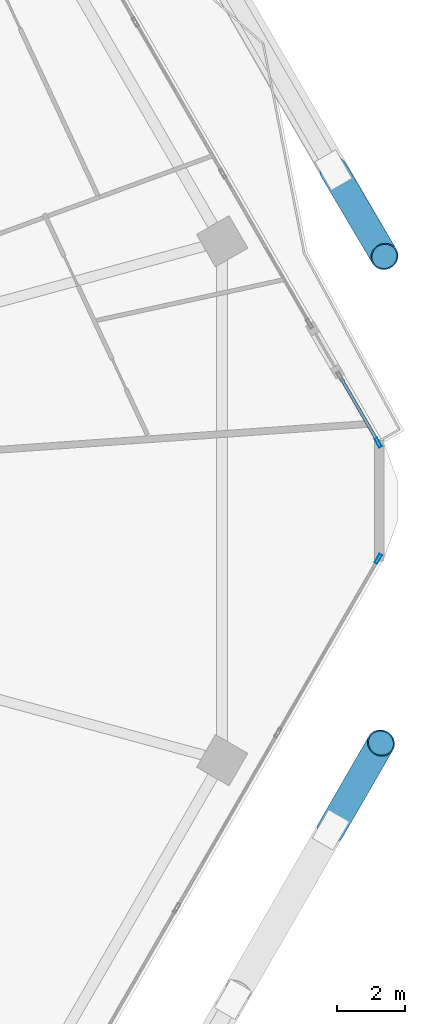
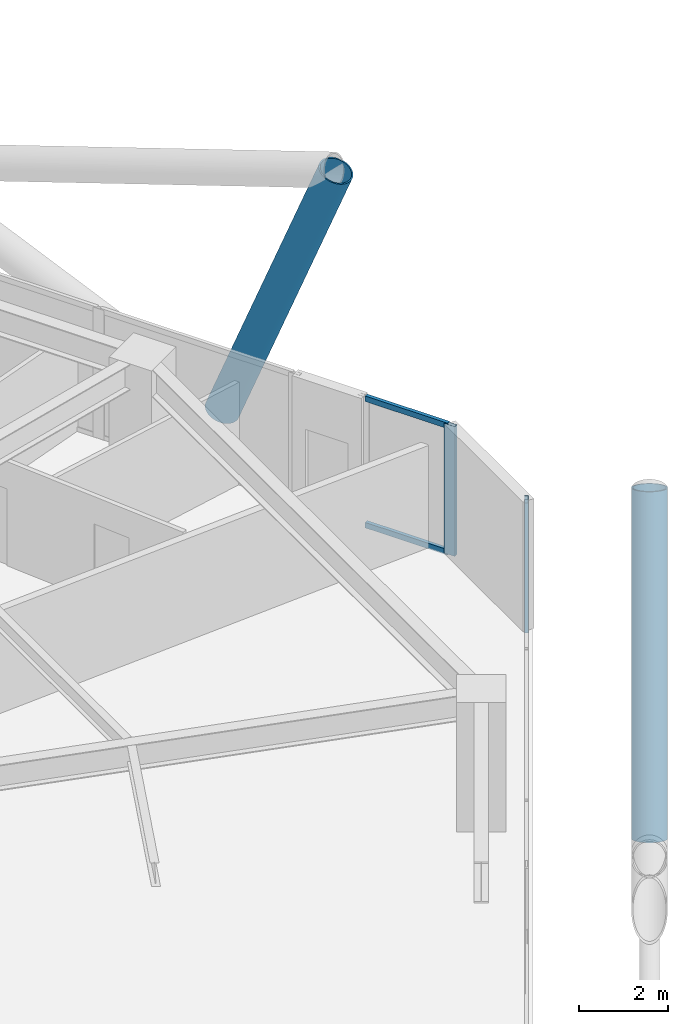
# One storey, part 24 of 34: 6 members, 2 elements without a shape of their own.
"""IFC4 building model written with IfcOpenShell, lengths in metres."""

from ifc_helpers import new_model, si_unit, direction, frame, origin, origin_2d, place, context, subcontext, project, spatial, hollow_rectangle, hollow_circle, extrude, material, material_profile, profile_set, type_object, element, aggregate, save


model = new_model("IFC4")

# Units and contexts
model_context = context("Model", 3, precision=1e-05, world=origin(), true_north=direction((0.0, 1.0)))
body_context = subcontext(model_context, "Body", "Model", "MODEL_VIEW")
ifc_project = project(units=[si_unit("LENGTHUNIT", "METRE"), si_unit("AREAUNIT", "SQUARE_METRE"), si_unit("VOLUMEUNIT", "CUBIC_METRE"), si_unit("PLANEANGLEUNIT", "RADIAN"), si_unit("MASSUNIT", "GRAM", prefix="KILO")], contexts=[model_context])

# Site, building, storey
site_placement = place(None, origin())
site = spatial("IfcSite", under=ifc_project, at=site_placement, CompositionType="ELEMENT")
building_placement = place(site_placement, origin())
building = spatial("IfcBuilding", under=site, at=building_placement, Name="Zuhravey Tower", CompositionType="ELEMENT")
storey_placement = place(building_placement, frame((0.0, 0.0, 100.0)))
storey = spatial("IfcBuildingStorey", under=building, at=storey_placement, Name="L24", CompositionType="ELEMENT", Elevation=100.0)

# Curtain wall, member
ifc_material_1 = material(Name="Thermally broken anodised aluminium", Category="aluminium")
curtain_wall_type = type_object("IfcCurtainWallType", Name="Zone 1-2 Residential Curtain Wall CW3", PredefinedType="NOTDEFINED", material=ifc_material_1)
curtain_wall_1_placement = place(storey_placement, origin())
curtain_wall_1 = element("IfcCurtainWall", 1, at=curtain_wall_1_placement, inside=storey, type_object=curtain_wall_type, Name="L24 CW3 CW-L24-F6-1", PredefinedType="NOTDEFINED")
ifc_material_2 = material(Name="Anodised aluminium", Category="aluminium")
ifc_material_profile_1 = material_profile(ifc_material_2, hollow_rectangle(XDim=0.090087890625, YDim=0.284912109375, WallThickness=0.0048828125, at=origin_2d()), Name="ALU-RHS-90x285x5")
ifc_profile_set_1 = profile_set([ifc_material_profile_1], Name="Anodised aluminium")
member_type_1 = type_object("IfcMemberType", Name="Curtain-Wall Mullion 90x180", PredefinedType="MULLION", material=ifc_profile_set_1)
member_1_placement = place(storey_placement, frame((68.4560546875, 30.298583984375, 0.0), z_axis=(0.0, 0.0, 1.0), x_axis=(0.86602552265, -0.499999794119, 0.0)))
member_1 = element("IfcMember", 2, at=member_1_placement, type_object=member_type_1, Name="CW3 mullion 1", PredefinedType="MULLION", context=body_context, shape_type="SweptSolid", body=[
    extrude(hollow_rectangle(XDim=0.090087890625, YDim=0.284912109375, WallThickness=0.0048828125, at=origin_2d()), origin(), (0.0, 0.0, 1.0), 3.550048828125),
])
aggregate(curtain_wall_1, [member_1])

# Curtain wall, members
curtain_wall_2_placement = place(storey_placement, origin())
curtain_wall_2 = element("IfcCurtainWall", 3, at=curtain_wall_2_placement, inside=storey, type_object=curtain_wall_type, Name="L24 CW3 CW-L24-F1-2", PredefinedType="NOTDEFINED")
member_2_placement = place(storey_placement, frame((68.4560546875, 33.701416015625, 0.0), z_axis=(0.0, 0.0, 1.0), x_axis=(0.866027468868, 0.499996423153, 0.0)))
member_2 = element("IfcMember", 4, at=member_2_placement, type_object=member_type_1, Name="CW3 mullion 2", PredefinedType="MULLION", context=body_context, shape_type="SweptSolid", body=[
    extrude(hollow_rectangle(XDim=0.090087890625, YDim=0.284912109375, WallThickness=0.0048828125, at=origin_2d()), origin(), (0.0, 0.0, 1.0), 3.550048828125),
])
ifc_material_profile_2 = material_profile(ifc_material_2, hollow_rectangle(XDim=0.090087890625, YDim=0.14990234375, WallThickness=0.0048828125, at=origin_2d()), Name="ALU-RHS-90x150x5")
ifc_profile_set_2 = profile_set([ifc_material_profile_2], Name="Anodised aluminium")
member_type_2 = type_object("IfcMemberType", Name="Curtain-Wall Transom 90x150", PredefinedType="USERDEFINED", material=ifc_profile_set_2)
member_3_placement = place(storey_placement, frame((67.364990234375, 35.591064453125, 0.044921875), z_axis=(0.500058689731, -0.865991516601, 0.0), x_axis=(0.865991516601, 0.500058689731, 0.0)))
member_3 = element("IfcMember", 5, at=member_3_placement, type_object=member_type_2, Name="CW3 transom 1.1", ObjectType="TRANSOM", PredefinedType="USERDEFINED", context=body_context, shape_type="SweptSolid", body=[
    extrude(hollow_rectangle(XDim=0.090087890625, YDim=0.14990234375, WallThickness=0.0048828125, at=origin_2d()), origin(), (0.0, 0.0, 1.0), 2.136962890625),
])
member_4_placement = place(storey_placement, frame((67.364990234375, 35.591064453125, 3.5048828125), z_axis=(0.500058689731, -0.865991516601, 0.0), x_axis=(0.865991516601, 0.500058689731, 0.0)))
member_4 = element("IfcMember", 6, at=member_4_placement, type_object=member_type_2, Name="CW3 transom 1.2", ObjectType="TRANSOM", PredefinedType="USERDEFINED", context=body_context, shape_type="SweptSolid", body=[
    extrude(hollow_rectangle(XDim=0.090087890625, YDim=0.14990234375, WallThickness=0.0048828125, at=origin_2d()), origin(), (0.0, 0.0, 1.0), 2.136962890625),
])
aggregate(curtain_wall_2, [member_2, member_3, member_4])

# Members
ifc_material_3 = material(Name="Steel SM460", Category="steel")
ifc_material_profile_3 = material_profile(ifc_material_3, hollow_circle(Radius=0.406494140625, WallThickness=0.035888671875, at=origin_2d()), Name="CHS-812.8x36")
ifc_profile_set_3 = profile_set([ifc_material_profile_3], Name="Steel SM460")
member_type_3 = type_object("IfcMemberType", Name="Exoskeleton Zone 1 Diagrid CHS813x36", PredefinedType="BRACE", material=ifc_profile_set_3)
member_5_placement = place(storey_placement, frame((67.148193359375, 41.666748046875, -0.44189453125), z_axis=(0.18373916367, -0.31086207799, 0.932525971864), x_axis=(0.86086838172, 0.508827701049, 0.0)))
element("IfcMember", 7, at=member_5_placement, inside=storey, type_object=member_type_3, Name="L24 Face 1 Diagrid Brace 1", PredefinedType="BRACE", context=body_context, shape_type="SweptSolid", body=[
    extrude(hollow_circle(Radius=0.406494140625, WallThickness=0.035888671875, at=origin_2d()), origin(), (0.0, 0.0, 1.0), 8.1025390625),
])
member_6_placement = place(storey_placement, frame((67.070068359375, 22.378173828125, -0.44189453125), z_axis=(0.180574288521, 0.312728273078, 0.932520216158), x_axis=(-0.866000778371, 0.500042650041, 0.0)))
element("IfcMember", 8, at=member_6_placement, inside=storey, type_object=member_type_3, Name="L24 Face 6 Diagrid Brace 4", PredefinedType="BRACE", context=body_context, shape_type="SweptSolid", body=[
    extrude(hollow_circle(Radius=0.406494140625, WallThickness=0.035888671875, at=origin_2d()), origin(), (0.0, 0.0, 1.0), 8.102783203125),
])

save(model, "model.ifc")
